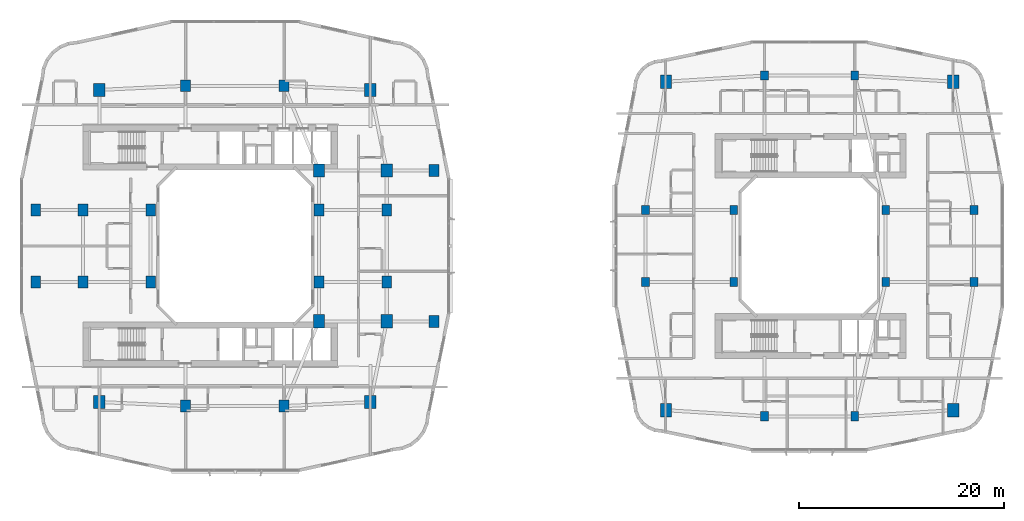
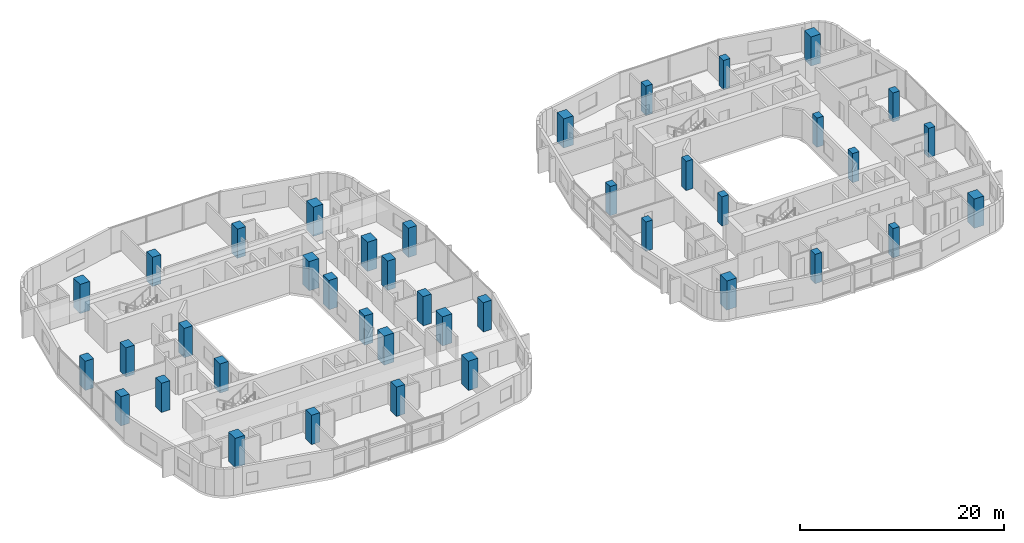
# One storey, part 1 of 27: 40 columns.
"""IFC4 building model written with IfcOpenShell, lengths in metres."""

import ifcopenshell
import ifcopenshell.guid

model = None  # the IFC model being written
_history = None  # IfcOwnerHistory: only IFC2X3 demands one
_inside = {}  # id of a spatial element -> (the spatial element, [elements in it])
_under = {}  # id of a project, library or spatial element -> (it, [spatial elements below it])
_declared = {}  # id of a project -> (the project, [libraries it declares])
_typed = {}  # id of a type object -> (the type object, [elements of that type])
_made_of = {}  # id of a material, layer set ... -> (it, [elements and type objects made of it])


def new_model(schema):
    """Start an empty IFC model of exactly this schema.

    Asked for "IFC4X3", IfcOpenShell would pick the latest addendum, in which some entities
    have other attributes; the version numbers below select the first issue.
    IFC2X3 requires an IfcOwnerHistory on every rooted entity: one is made here for all.
    """
    global model, _history
    if schema == "IFC4X3":
        model = ifcopenshell.file(schema_version=(4, 3, 0, 0))
    else:
        model = ifcopenshell.file(schema=schema)
    _inside.clear()
    _under.clear()
    _declared.clear()
    _typed.clear()
    _made_of.clear()
    _history = None
    if model.schema == "IFC2X3":
        org = make("IfcOrganization", Name="unknown")
        user = make(
            "IfcPersonAndOrganization",
            ThePerson=make("IfcPerson", FamilyName="unknown"),
            TheOrganization=org,
        )
        app = make(
            "IfcApplication",
            ApplicationDeveloper=org,
            Version="unknown",
            ApplicationFullName="unknown",
            ApplicationIdentifier="unknown",
        )
        _history = make(
            "IfcOwnerHistory",
            OwningUser=user,
            OwningApplication=app,
            ChangeAction="ADDED",
            CreationDate=0,
        )
    return model


def make(cls, **values):
    """One entity of the class cls with the attributes given. An attribute that is None is left unset."""
    return model.create_entity(
        cls, **{name: value for name, value in values.items() if value is not None}
    )


def rooted(cls, **values):
    """An entity with a GlobalId (a new one), such as an element, a storey or a relation."""
    return make(cls, GlobalId=ifcopenshell.guid.new(), OwnerHistory=_history, **values)


def si_unit(unit_type, name, prefix=None):
    """IfcSIUnit, for example si_unit("LENGTHUNIT", "METRE", prefix="MILLI")."""
    return make("IfcSIUnit", UnitType=unit_type, Prefix=prefix, Name=name)


def derived_unit(unit_type, elements):
    """IfcDerivedUnit: a product of units, each with its exponent."""
    return make(
        "IfcDerivedUnit",
        Elements=[
            make("IfcDerivedUnitElement", Unit=unit, Exponent=power)
            for unit, power in elements
        ],
        UnitType=unit_type,
    )


def assignment(units):
    """IfcUnitAssignment: the units of a project."""
    return None if units is None else make("IfcUnitAssignment", Units=units)


def point(xyz):
    """IfcCartesianPoint."""
    return None if xyz is None else make("IfcCartesianPoint", Coordinates=xyz)


def direction(xyz):
    """IfcDirection."""
    return None if xyz is None else make("IfcDirection", DirectionRatios=xyz)


def frame(location, z_axis=None, x_axis=None):
    """IfcAxis2Placement3D, a coordinate frame: its origin and axes. An axis left out is left unset."""
    return make(
        "IfcAxis2Placement3D",
        Location=point(location),
        Axis=direction(z_axis),
        RefDirection=direction(x_axis),
    )


def frame_2d(location, x_axis=None):
    """IfcAxis2Placement2D, a coordinate frame in the plane: its origin and x axis."""
    return make(
        "IfcAxis2Placement2D", Location=point(location), RefDirection=direction(x_axis)
    )


def origin():
    """The frame at (0, 0, 0) with its axes left unset."""
    return frame((0.0, 0.0, 0.0))


def origin_2d():
    """The frame at (0, 0) in the plane with its x axis left unset."""
    return frame_2d((0.0, 0.0))


def place(relative_to, where):
    """IfcLocalPlacement: puts the frame where relative to a parent placement (None: the world)."""
    return make(
        "IfcLocalPlacement", PlacementRelTo=relative_to, RelativePlacement=where
    )


def context(
    kind, dimensions, precision=None, world=None, true_north=None, identifier=None
):
    """IfcGeometricRepresentationContext, for example the 3D "Model" context."""
    return make(
        "IfcGeometricRepresentationContext",
        ContextIdentifier=identifier,
        ContextType=kind,
        CoordinateSpaceDimension=dimensions,
        Precision=precision,
        WorldCoordinateSystem=world,
        TrueNorth=true_north,
    )


def subcontext(parent, identifier, kind, view, scale=None):
    """IfcGeometricRepresentationSubContext, for example "Body" below "Model"."""
    return make(
        "IfcGeometricRepresentationSubContext",
        ContextIdentifier=identifier,
        ContextType=kind,
        ParentContext=parent,
        TargetScale=scale,
        TargetView=view,
    )


def project(units=None, contexts=None):
    """IfcProject with its units and contexts."""
    return rooted(
        "IfcProject",
        Name="project",
        RepresentationContexts=contexts,
        UnitsInContext=assignment(units),
    )


def spatial(cls, under=None, at=None, **own):
    """A site, building, storey or space (cls), placed at a placement, below another one or the project."""
    s = rooted(cls, ObjectPlacement=at, **own)
    if under is not None:
        _under.setdefault(under.id(), (under, []))[1].append(s)
    return s


def profile(cls, at=None, kind="AREA", **sizes):
    """A parametric profile (cls). Its sizes go by their IFC names, for example OverallWidth=200.0."""
    return make(cls, ProfileType=kind, Position=at, **sizes)


def rectangle(**sizes):
    """IfcRectangleProfileDef."""
    return profile("IfcRectangleProfileDef", **sizes)


def extrude(swept, where, along, depth):
    """IfcExtrudedAreaSolid: the profile swept, set in the frame where, extruded along a direction by depth."""
    return make(
        "IfcExtrudedAreaSolid",
        SweptArea=swept,
        Position=where,
        ExtrudedDirection=direction(along),
        Depth=depth,
    )


def shape(context_of_items, identifier, shape_type, items):
    """IfcShapeRepresentation: the items that make up one representation, for example the "Body"."""
    return make(
        "IfcShapeRepresentation",
        ContextOfItems=context_of_items,
        RepresentationIdentifier=identifier,
        RepresentationType=shape_type,
        Items=items,
    )


def material(Name=None, Category=None):
    """IfcMaterial."""
    return make("IfcMaterial", Name=Name, Category=Category)


def material_profile(
    of_material, cross_section, Name=None, Category=None, Priority=None
):
    """IfcMaterialProfile: a cross section and its material."""
    return make(
        "IfcMaterialProfile",
        Name=Name,
        Material=of_material,
        Profile=cross_section,
        Priority=Priority,
        Category=Category,
    )


def profile_set(profiles, Name=None, composite=None):
    """IfcMaterialProfileSet."""
    return make(
        "IfcMaterialProfileSet",
        Name=Name,
        MaterialProfiles=profiles,
        CompositeProfile=composite,
    )


def made_of(thing, what):
    """Note that an element or type object is made of a material, layer set ...; save() writes the relation."""
    if what is not None:
        _made_of.setdefault(what.id(), (what, []))[1].append(thing)
    return thing


def type_object(cls, material=None, **own):
    """A type object (cls), such as IfcWallType, which elements share."""
    return made_of(rooted(cls, **own), material)


def element(
    cls,
    number,
    at=None,
    inside=None,
    cuts=None,
    type_object=None,
    material=None,
    context=None,
    identifier="Body",
    shape_type=None,
    held_by="IfcProductDefinitionShape",
    body=None,
    shapes=None,
    **own,
):
    """One element of the class cls, such as IfcWall. Its Tag is "e" and its number.

    at: its placement. inside: the storey or other place that contains it. cuts: it is an
    opening in that element (IfcRelVoidsElement). A single representation is given by context,
    identifier, shape_type and body (its items); several are given by shapes. held_by: the class
    of the entity that holds the representations. save() writes the other relations.
    """
    e = rooted(cls, Tag="e%d" % number, ObjectPlacement=at, **own)
    if body is not None:
        shapes = [shape(context, identifier, shape_type, body)]
    if shapes is not None:
        e.Representation = make(held_by, Representations=shapes)
    if inside is not None:
        _inside.setdefault(inside.id(), (inside, []))[1].append(e)
    if cuts is not None:
        rooted(
            "IfcRelVoidsElement", RelatingBuildingElement=cuts, RelatedOpeningElement=e
        )
    if type_object is not None:
        _typed.setdefault(type_object.id(), (type_object, []))[1].append(e)
    return made_of(e, material)


def aggregate(whole, parts):
    """IfcRelAggregates: a whole, such as a stair, and the parts it consists of."""
    return rooted("IfcRelAggregates", RelatingObject=whole, RelatedObjects=parts)


def save(model, path):
    """Write the relations noted so far, then the file.

    IfcRelAggregates (storeys below a building ...), IfcRelContainedInSpatialStructure (elements
    in a storey), IfcRelDefinesByType, IfcRelAssociatesMaterial and IfcRelDeclares: one each for
    every whole, place, type object, material and project.
    """
    for whole, parts in _under.values():
        aggregate(whole, parts)
    for where, things in _inside.values():
        rooted(
            "IfcRelContainedInSpatialStructure",
            RelatedElements=things,
            RelatingStructure=where,
        )
    for kind, things in _typed.values():
        rooted("IfcRelDefinesByType", RelatedObjects=things, RelatingType=kind)
    for what, things in _made_of.values():
        rooted("IfcRelAssociatesMaterial", RelatedObjects=things, RelatingMaterial=what)
    for by, libraries in _declared.values():
        rooted("IfcRelDeclares", RelatingContext=by, RelatedDefinitions=libraries)
    model.write(path)


model = new_model("IFC4")

# Units and contexts
model_context = context("Model", 3, precision=1e-05, world=origin(), true_north=direction((0.0, 1.0)))
body_context = subcontext(model_context, "Body", "Model", "MODEL_VIEW")
ifc_project = project(units=[si_unit("LENGTHUNIT", "METRE"), si_unit("AREAUNIT", "SQUARE_METRE"), si_unit("VOLUMEUNIT", "CUBIC_METRE"), si_unit("PLANEANGLEUNIT", "RADIAN"), si_unit("MASSUNIT", "GRAM", prefix="KILO"), derived_unit("THERMALTRANSMITTANCEUNIT", [(si_unit("POWERUNIT", "WATT"), 1), (si_unit("LENGTHUNIT", "METRE"), -2), (si_unit("THERMODYNAMICTEMPERATUREUNIT", "KELVIN"), -1)])], contexts=[model_context])

# Site, building, storey
site_placement = place(None, origin())
site = spatial("IfcSite", under=ifc_project, at=site_placement, CompositionType="ELEMENT")
building_placement = place(site_placement, origin())
building = spatial("IfcBuilding", under=site, at=building_placement, Name="Kivonza Crest Hotel", CompositionType="ELEMENT")
storey_placement = place(building_placement, frame((0.0, 0.0, 31.0)))
storey = spatial("IfcBuildingStorey", under=building, at=storey_placement, Name="L07", CompositionType="ELEMENT", Elevation=31.0)

# Columns
ifc_material_1 = material(Name="Concrete C60/75", Category="concrete")
ifc_material_profile_1 = material_profile(ifc_material_1, rectangle(XDim=0.949951171875, YDim=1.14990234375, at=origin_2d()), Name="RC 1150x950")
ifc_profile_set_1 = profile_set([ifc_material_profile_1], Name="Concrete C60/75")
column_type_1 = type_object("IfcColumnType", Name="CL-RC-1150x950", PredefinedType="COLUMN", material=ifc_profile_set_1)
for number, where, z_axis, x_axis, name in (
    (1, (16.199951171875, 9.39990234375, 0.0), (0.0, 0.0, 1.0), (1.0, 0.0, 0.0), "Tower T1 L07 column S1"),
    (2, (25.800048828125, 9.39990234375, 0.0), (0.0, 0.0, 1.0), (1.0, 0.0, 0.0), "Tower T1 L07 column S2"),
    (3, (16.199951171875, 40.60009765625, 0.0), (0.0, 0.0, 1.0), (1.0, 0.0, 0.0), "Tower T1 L07 column N1"),
    (4, (25.800048828125, 40.60009765625, 0.0), (0.0, 0.0, 1.0), (1.0, 0.0, 0.0), "Tower T1 L07 column N2"),
    (5, (6.199951171875, 21.5, 0.0), (0.0, 0.0, 1.0), (1.0, 0.0, 0.0), "Tower T1 L07 column W1"),
    (6, (6.199951171875, 28.5, 0.0), (0.0, 0.0, 1.0), (1.0, 0.0, 0.0), "Tower T1 L07 column W2"),
    (7, (35.800048828125, 21.5, 0.0), (0.0, 0.0, 1.0), (1.0, 0.0, 0.0), "Tower T1 L07 column E1"),
    (8, (35.800048828125, 28.5, 0.0), (0.0, 0.0, 1.0), (1.0, 0.0, 0.0), "Tower T1 L07 column E2"),
    (9, (12.800048828125, 21.5, 0.0), (0.0, 0.0, 1.0), (1.0, 0.0, 0.0), "Tower T1 L07 column WL1"),
    (10, (12.800048828125, 28.5, 0.0), (0.0, 0.0, 1.0), (1.0, 0.0, 0.0), "Tower T1 L07 column WL2"),
    (11, (29.199951171875, 21.5, 0.0), (0.0, 0.0, 1.0), (1.0, 0.0, 0.0), "Tower T1 L07 column WR1"),
    (12, (29.199951171875, 28.5, 0.0), (0.0, 0.0, 1.0), (1.0, 0.0, 0.0), "Tower T1 L07 column WR2"),
    (13, (1.60009765625, 21.5, 0.0), (0.0, 0.0, 1.0), (1.0, 0.0, 0.0), "Tower T1 L07 column Z1W1"),
    (14, (1.60009765625, 28.5, 0.0), (0.0, 0.0, 1.0), (1.0, 0.0, 0.0), "Tower T1 L07 column Z1W2"),
    (15, (40.39990234375, 17.64990234375, 0.0), (0.0, 0.0, 1.0), (1.0, 0.0, 0.0), "Tower T1 L07 column Z1E1"),
    (16, (40.39990234375, 32.35009765625, 0.0), (0.0, 0.0, 1.0), (1.0, 0.0, 0.0), "Tower T1 L07 column Z1E2"),
):
    element("IfcColumn", number, at=place(storey_placement, frame(where, z_axis=z_axis, x_axis=x_axis)), inside=storey, type_object=column_type_1, Name=name, PredefinedType="COLUMN", context=body_context, shape_type="SweptSolid", body=[
        extrude(rectangle(XDim=0.949951171875, YDim=1.14990234375, at=origin_2d()), origin(), (0.0, 0.0, 1.0), 3.5),
    ])
ifc_material_profile_2 = material_profile(ifc_material_1, rectangle(XDim=1.10009765625, YDim=1.300048828125, at=origin_2d()), Name="RC 1300x1100")
ifc_profile_set_2 = profile_set([ifc_material_profile_2], Name="Concrete C60/75")
column_type_2 = type_object("IfcColumnType", Name="CL-RC-1300x1100", PredefinedType="COLUMN", material=ifc_profile_set_2)
for number, where, z_axis, x_axis, name in (
    (17, (7.800048828125, 9.800048828125, 0.0), (0.0, 0.0, 1.0), (1.0, 0.0, 0.0), "Tower T1 L07 column SW"),
    (18, (34.199951171875, 9.800048828125, 0.0), (0.0, 0.0, 1.0), (1.0, 0.0, 0.0), "Tower T1 L07 column SE"),
    (19, (34.199951171875, 40.199951171875, 0.0), (0.0, 0.0, 1.0), (1.0, 0.0, 0.0), "Tower T1 L07 column NE"),
    (20, (7.800048828125, 40.199951171875, 0.0), (0.0, 0.0, 1.0), (1.0, 0.0, 0.0), "Tower T1 L07 column NW"),
    (21, (35.800048828125, 17.64990234375, 0.0), (0.0, 0.0, 1.0), (1.0, 0.0, 0.0), "Tower T1 L07 column PSE"),
    (22, (35.800048828125, 32.35009765625, 0.0), (0.0, 0.0, 1.0), (1.0, 0.0, 0.0), "Tower T1 L07 column PNE"),
    (23, (29.199951171875, 17.64990234375, 0.0), (0.0, 0.0, 1.0), (1.0, 0.0, 0.0), "Tower T1 L07 column TSE"),
    (24, (29.199951171875, 32.35009765625, 0.0), (0.0, 0.0, 1.0), (1.0, 0.0, 0.0), "Tower T1 L07 column TNE"),
    (25, (63.0, 9.0, 0.0), (0.0, 0.0, 1.0), (1.0, 0.0, 0.0), "Companion Tower T2 L07 column SW"),
    (26, (91.0, 9.0, 0.0), (0.0, 0.0, 1.0), (1.0, 0.0, 0.0), "Companion Tower T2 L07 column SE"),
    (27, (91.0, 41.0, 0.0), (0.0, 0.0, 1.0), (1.0, 0.0, 0.0), "Companion Tower T2 L07 column NE"),
    (28, (63.0, 41.0, 0.0), (0.0, 0.0, 1.0), (1.0, 0.0, 0.0), "Companion Tower T2 L07 column NW"),
):
    element("IfcColumn", number, at=place(storey_placement, frame(where, z_axis=z_axis, x_axis=x_axis)), inside=storey, type_object=column_type_2, Name=name, PredefinedType="COLUMN", context=body_context, shape_type="SweptSolid", body=[
        extrude(rectangle(XDim=1.10009765625, YDim=1.300048828125, at=origin_2d()), origin(), (0.0, 0.0, 1.0), 3.5),
    ])
ifc_material_2 = material(Name="Concrete C50/60", Category="concrete")
ifc_material_profile_3 = material_profile(ifc_material_2, rectangle(XDim=0.75, YDim=0.89990234375, at=origin_2d()), Name="RC 900x750")
ifc_profile_set_3 = profile_set([ifc_material_profile_3], Name="Concrete C50/60")
column_type_3 = type_object("IfcColumnType", Name="CL-RC-900x750", PredefinedType="COLUMN", material=ifc_profile_set_3)
for number, where, z_axis, x_axis, name in (
    (29, (72.60009765625, 8.39990234375, 0.0), (0.0, 0.0, 1.0), (1.0, 0.0, 0.0), "Companion Tower T2 L07 column S1"),
    (30, (81.39990234375, 8.39990234375, 0.0), (0.0, 0.0, 1.0), (1.0, 0.0, 0.0), "Companion Tower T2 L07 column S2"),
    (31, (72.60009765625, 41.60009765625, 0.0), (0.0, 0.0, 1.0), (1.0, 0.0, 0.0), "Companion Tower T2 L07 column N1"),
    (32, (81.39990234375, 41.60009765625, 0.0), (0.0, 0.0, 1.0), (1.0, 0.0, 0.0), "Companion Tower T2 L07 column N2"),
    (33, (61.0, 21.5, 0.0), (0.0, 0.0, 1.0), (1.0, 0.0, 0.0), "Companion Tower T2 L07 column W1"),
    (34, (61.0, 28.5, 0.0), (0.0, 0.0, 1.0), (1.0, 0.0, 0.0), "Companion Tower T2 L07 column W2"),
    (35, (93.0, 21.5, 0.0), (0.0, 0.0, 1.0), (1.0, 0.0, 0.0), "Companion Tower T2 L07 column E1"),
    (36, (93.0, 28.5, 0.0), (0.0, 0.0, 1.0), (1.0, 0.0, 0.0), "Companion Tower T2 L07 column E2"),
    (37, (69.60009765625, 21.5, 0.0), (0.0, 0.0, 1.0), (1.0, 0.0, 0.0), "Companion Tower T2 L07 column WL1"),
    (38, (69.60009765625, 28.5, 0.0), (0.0, 0.0, 1.0), (1.0, 0.0, 0.0), "Companion Tower T2 L07 column WL2"),
    (39, (84.39990234375, 21.5, 0.0), (0.0, 0.0, 1.0), (1.0, 0.0, 0.0), "Companion Tower T2 L07 column WR1"),
    (40, (84.39990234375, 28.5, 0.0), (0.0, 0.0, 1.0), (1.0, 0.0, 0.0), "Companion Tower T2 L07 column WR2"),
):
    element("IfcColumn", number, at=place(storey_placement, frame(where, z_axis=z_axis, x_axis=x_axis)), inside=storey, type_object=column_type_3, Name=name, PredefinedType="COLUMN", context=body_context, shape_type="SweptSolid", body=[
        extrude(rectangle(XDim=0.75, YDim=0.89990234375, at=origin_2d()), origin(), (0.0, 0.0, 1.0), 3.5),
    ])

save(model, "model.ifc")
